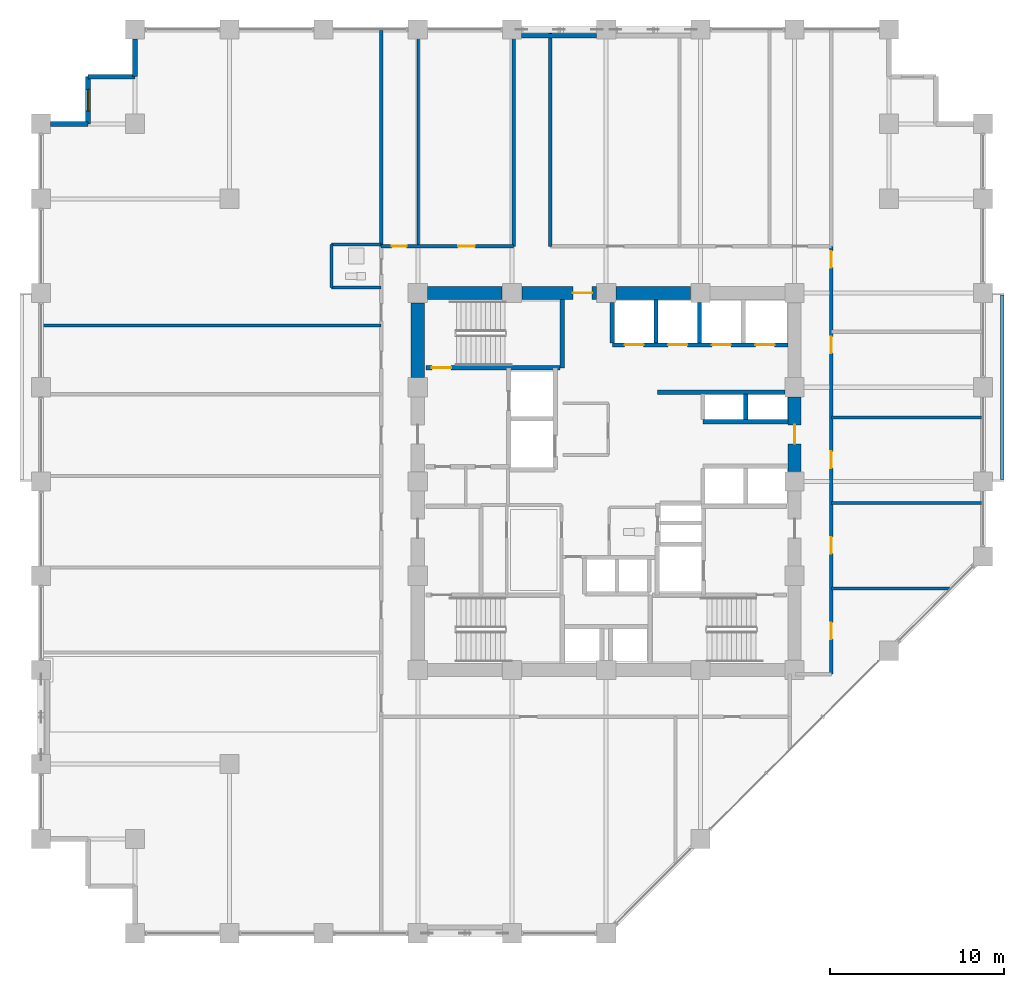
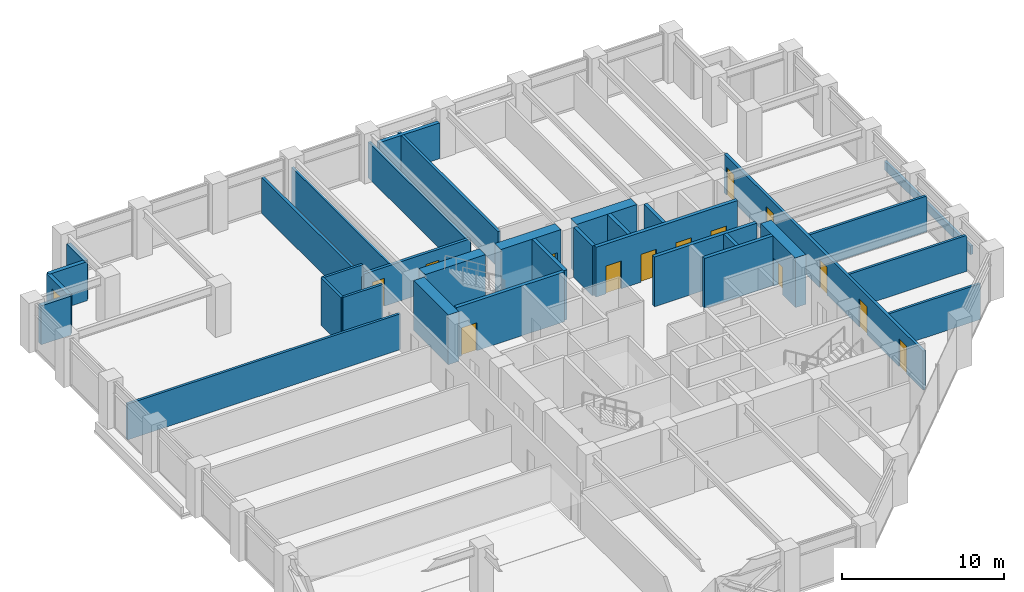
# One storey, part 20 of 24: 33 walls, 14 doors, 1 window, 15 openings.
"""IFC4 building model written with IfcOpenShell, lengths in metres."""

from ifc_helpers import new_model, si_unit, direction, frame, frame_2d, origin, place, context, subcontext, project, spatial, rectangle, extrude, material, layer, layer_set, type_object, element, fill, save


model = new_model("IFC4")

# Units and contexts
model_context = context("Model", 3, precision=1e-05, world=origin(), true_north=direction((0.0, 1.0)))
body_context = subcontext(model_context, "Body", "Model", "MODEL_VIEW")
ifc_project = project(units=[si_unit("LENGTHUNIT", "METRE"), si_unit("AREAUNIT", "SQUARE_METRE"), si_unit("VOLUMEUNIT", "CUBIC_METRE"), si_unit("PLANEANGLEUNIT", "RADIAN"), si_unit("MASSUNIT", "GRAM", prefix="KILO")], contexts=[model_context])

# Site, building, storey
site_placement = place(None, origin())
site = spatial("IfcSite", under=ifc_project, at=site_placement, CompositionType="ELEMENT")
building_placement = place(site_placement, origin())
building = spatial("IfcBuilding", under=site, at=building_placement, Name="Surkhivell Harbour Commons", CompositionType="ELEMENT")
storey_placement = place(building_placement, frame((0.0, 0.0, 105.75)))
storey = spatial("IfcBuildingStorey", under=building, at=storey_placement, Name="L27", CompositionType="ELEMENT", Elevation=105.75)

# Wall
ifc_material_1 = material(Name="Concrete C60/75", Category="concrete")
ifc_layer_1 = layer(ifc_material_1, 0.75)
ifc_layer_set_1 = layer_set([ifc_layer_1], Name="Concrete C60/75")
wall_type_1 = type_object("IfcWallType", Name="WAL-CORE-750", PredefinedType="SHEAR", material=ifc_layer_set_1)
wall_1_placement = place(storey_placement, frame((-10.239990234375, 10.800048828125, 0.0), z_axis=(0.0, 0.0, 1.0), x_axis=(1.0, 0.0, 0.0)))
element("IfcWall", 1, at=wall_1_placement, inside=storey, type_object=wall_type_1, Name="L27 Core Shear Wall North 1", PredefinedType="SHEAR", context=body_context, shape_type="SweptSolid", body=[
    extrude(rectangle(XDim=4.280029296875, YDim=0.75, at=frame_2d((2.14013671875, 0.0))), origin(), (0.0, 0.0, 1.0), 3.75),
])

# Wall, opening, door
wall_2_placement = place(storey_placement, frame((-4.840087890625, 10.800048828125, 0.0), z_axis=(0.0, 0.0, 1.0), x_axis=(1.0, 0.0, 0.0)))
wall_2 = element("IfcWall", 2, at=wall_2_placement, inside=storey, type_object=wall_type_1, Name="L27 Core Shear Wall North 2", PredefinedType="SHEAR", context=body_context, shape_type="SweptSolid", body=[
    extrude(rectangle(XDim=4.280029296875, YDim=0.75, at=frame_2d((2.14013671875, 0.0))), origin(), (0.0, 0.0, 1.0), 3.75),
])
opening_1_placement = place(wall_2_placement, frame((2.929931640625, 0.0, 0.0)))
opening_1 = element("IfcOpeningElement", 3, at=opening_1_placement, cuts=wall_2, Name="Opening ID-2", PredefinedType="OPENING", context=body_context, shape_type="SweptSolid", body=[
    extrude(rectangle(XDim=1.10009765625, YDim=2.10009765625, at=frame_2d((0.550048828125, 1.050048828125))), frame((0.0, 0.385009765625, 0.0), z_axis=(0.0, -1.0, 0.0), x_axis=(1.0, 0.0, 0.0)), (0.0, 0.0, 1.0), 0.77001953125),
])
ifc_material_2 = material(Name="Hardwood-veneered fire-rated door leaf", Category="wood")
door_type_1 = type_object("IfcDoorType", Name="DOR-FD60-1100", OperationType="NOTDEFINED", PredefinedType="DOOR", material=ifc_material_2)
door_1_placement = place(opening_1_placement, origin())
door_1 = element("IfcDoor", 4, at=door_1_placement, inside=storey, type_object=door_type_1, Name="L27 Central Core Lift Hall North Corridor Door", OperationType="SINGLE_SWING_LEFT", OverallHeight=2.10009765625, OverallWidth=1.10009765625, PredefinedType="DOOR", context=body_context, shape_type="SweptSolid", body=[
    extrude(rectangle(XDim=1.10009765625, YDim=2.10009765625, at=frame_2d((0.550048828125, 1.050048828125))), frame((0.0, 0.02490234375, 0.0), z_axis=(0.0, -1.0, 0.0), x_axis=(1.0, 0.0, 0.0)), (0.0, 0.0, 1.0), 0.050048828125),
])
fill(opening_1, door_1)

# Wall
wall_3_placement = place(storey_placement, frame((0.56005859375, 10.800048828125, 0.0), z_axis=(0.0, 0.0, 1.0), x_axis=(1.0, 0.0, 0.0)))
element("IfcWall", 5, at=wall_3_placement, inside=storey, type_object=wall_type_1, Name="L27 Core Shear Wall North 3", PredefinedType="SHEAR", context=body_context, shape_type="SweptSolid", body=[
    extrude(rectangle(XDim=4.280029296875, YDim=0.75, at=frame_2d((2.14013671875, 0.0))), origin(), (0.0, 0.0, 1.0), 3.75),
])

# Wall, opening, door
wall_4_placement = place(storey_placement, frame((10.800048828125, 0.56005859375, 0.0), z_axis=(0.0, 0.0, 1.0), x_axis=(0.0, 1.0, 0.0)))
wall_4 = element("IfcWall", 6, at=wall_4_placement, inside=storey, type_object=wall_type_1, Name="L27 Core Shear Wall East 3", PredefinedType="SHEAR", context=body_context, shape_type="SweptSolid", body=[
    extrude(rectangle(XDim=4.280029296875, YDim=0.75, at=frame_2d((2.14013671875, 0.0))), origin(), (0.0, 0.0, 1.0), 3.75),
])
opening_2_placement = place(wall_4_placement, frame((1.590087890625, 0.0, 0.0)))
opening_2 = element("IfcOpeningElement", 7, at=opening_2_placement, cuts=wall_4, Name="Opening ID-2", PredefinedType="OPENING", context=body_context, shape_type="SweptSolid", body=[
    extrude(rectangle(XDim=1.10009765625, YDim=2.10009765625, at=frame_2d((0.550048828125, 1.050048828125))), frame((0.0, 0.385009765625, 0.0), z_axis=(0.0, -1.0, 0.0), x_axis=(1.0, 0.0, 0.0)), (0.0, 0.0, 1.0), 0.77001953125),
])
door_2_placement = place(opening_2_placement, origin())
door_2 = element("IfcDoor", 8, at=door_2_placement, inside=storey, type_object=door_type_1, Name="L27 Mid-Rise Lobby East Door", OperationType="SINGLE_SWING_LEFT", OverallHeight=2.10009765625, OverallWidth=1.10009765625, PredefinedType="DOOR", context=body_context, shape_type="SweptSolid", body=[
    extrude(rectangle(XDim=1.10009765625, YDim=2.10009765625, at=frame_2d((0.550048828125, 1.050048828125))), frame((0.0, 0.02490234375, 0.0), z_axis=(0.0, -1.0, 0.0), x_axis=(1.0, 0.0, 0.0)), (0.0, 0.0, 1.0), 0.050048828125),
])
fill(opening_2, door_2)

# Walls
wall_5_placement = place(storey_placement, frame((-10.800048828125, 5.9599609375, 0.0), z_axis=(0.0, 0.0, 1.0), x_axis=(0.0, 1.0, 0.0)))
element("IfcWall", 9, at=wall_5_placement, inside=storey, type_object=wall_type_1, Name="L27 Core Shear Wall West 4", PredefinedType="SHEAR", context=body_context, shape_type="SweptSolid", body=[
    extrude(rectangle(XDim=4.280029296875, YDim=0.75, at=frame_2d((2.14013671875, 0.0))), origin(), (0.0, 0.0, 1.0), 3.75),
])
ifc_material_3 = material(Name="Pale-metal insulated precast concrete C45/55", Category="concrete")
ifc_layer_2 = layer(ifc_material_3, 0.260009765625)
ifc_layer_set_2 = layer_set([ifc_layer_2], Name="Pale-metal insulated precast concrete C45/55")
wall_type_2 = type_object("IfcWallType", Name="WAL-EXT-MTL260", PredefinedType="STANDARD", material=ifc_layer_set_2)
wall_6_placement = place(storey_placement, frame((-0.548095703125, 25.5400390625, 0.0), z_axis=(0.0, 0.0, 1.0), x_axis=(-1.0, 0.0, 0.0)))
element("IfcWall", 10, at=wall_6_placement, inside=storey, type_object=wall_type_2, Name="L27 Braced-Bay Insulated Spandrel Backing N", PredefinedType="STANDARD", context=body_context, shape_type="SweptSolid", body=[
    extrude(rectangle(XDim=4.303955078125, YDim=0.260009765625, at=frame_2d((2.15185546875, 0.0))), origin(), (0.0, 0.0, 1.0), 2.698974609375),
])
ifc_material_4 = material(Name="Terracotta-clad reinforced concrete C45/55", Category="masonry")
ifc_layer_3 = layer(ifc_material_4, 0.280029296875)
ifc_layer_set_3 = layer_set([ifc_layer_3], Name="Terracotta-clad reinforced concrete C45/55")
wall_type_3 = type_object("IfcWallType", Name="WAL-EXT-TER280", PredefinedType="STANDARD", material=ifc_layer_set_3)
wall_7_placement = place(storey_placement, frame((-27.0, 25.35205078125, 0.0), z_axis=(0.0, 0.0, 1.0), x_axis=(0.0, -1.0, 0.0)))
element("IfcWall", 11, at=wall_7_placement, inside=storey, type_object=wall_type_3, Name="L27 Serrated Corner Facade Wall 08", PredefinedType="STANDARD", context=body_context, shape_type="SweptSolid", body=[
    extrude(rectangle(XDim=2.152099609375, YDim=0.280029296875, at=frame_2d((1.076171875, 0.0))), origin(), (0.0, 0.0, 1.0), 2.93310546875),
])
wall_8_placement = place(storey_placement, frame((-27.0, 23.199951171875, 0.0), z_axis=(0.0, 0.0, 1.0), x_axis=(-1.0, 0.0, 0.0)))
element("IfcWall", 12, at=wall_8_placement, inside=storey, type_object=wall_type_3, Name="L27 Serrated Corner Facade Wall 09", PredefinedType="STANDARD", context=body_context, shape_type="SweptSolid", body=[
    extrude(rectangle(XDim=2.699951171875, YDim=0.280029296875, at=frame_2d((1.35009765625, 0.0))), origin(), (0.0, 0.0, 1.0), 2.93310546875),
])

# Wall, opening, window
wall_9_placement = place(storey_placement, frame((-29.699951171875, 23.199951171875, 0.0), z_axis=(0.0, 0.0, 1.0), x_axis=(0.0, -1.0, 0.0)))
wall_9 = element("IfcWall", 13, at=wall_9_placement, inside=storey, type_object=wall_type_3, Name="L27 Serrated Corner Facade Wall 10", PredefinedType="STANDARD", context=body_context, shape_type="SweptSolid", body=[
    extrude(rectangle(XDim=2.699951171875, YDim=0.280029296875, at=frame_2d((1.35009765625, 0.0))), origin(), (0.0, 0.0, 1.0), 2.93310546875),
])
opening_3_placement = place(wall_9_placement, frame((0.72509765625, 0.0, 0.64990234375)))
opening_3 = element("IfcOpeningElement", 14, at=opening_3_placement, cuts=wall_9, Name="Opening WN-09", PredefinedType="OPENING", context=body_context, shape_type="SweptSolid", body=[
    extrude(rectangle(XDim=1.25, YDim=1.60009765625, at=frame_2d((0.625, 0.800048828125))), frame((0.0, 0.14990234375, 0.0), z_axis=(0.0, -1.0, 0.0), x_axis=(1.0, 0.0, 0.0)), (0.0, 0.0, 1.0), 0.300048828125),
])
ifc_material_5 = material(Name="Thermal-break aluminium frame and double low-E glazing", Category="aluminium")
window_type = type_object("IfcWindowType", Name="WIN-SER-1250x1600", PartitioningType="SINGLE_PANEL", PredefinedType="WINDOW", material=ifc_material_5)
window_placement = place(opening_3_placement, origin())
window = element("IfcWindow", 15, at=window_placement, inside=storey, type_object=window_type, Name="L27 Serrated Alcove Window 10", OverallHeight=1.60009765625, OverallWidth=1.25, PartitioningType="SINGLE_PANEL", PredefinedType="WINDOW", context=body_context, shape_type="SweptSolid", body=[
    extrude(rectangle(XDim=1.25, YDim=1.60009765625, at=frame_2d((0.625, 0.800048828125))), frame((0.0, 0.030029296875, 0.0), z_axis=(0.0, -1.0, 0.0), x_axis=(1.0, 0.0, 0.0)), (0.0, 0.0, 1.0), 0.06005859375),
])
fill(opening_3, window)

# Walls
wall_10_placement = place(storey_placement, frame((-29.699951171875, 20.5, 0.0), z_axis=(0.0, 0.0, 1.0), x_axis=(-1.0, 0.0, 0.0)))
element("IfcWall", 16, at=wall_10_placement, inside=storey, type_object=wall_type_3, Name="L27 Serrated Corner Facade Wall 11", PredefinedType="STANDARD", context=body_context, shape_type="SweptSolid", body=[
    extrude(rectangle(XDim=2.152099609375, YDim=0.280029296875, at=frame_2d((1.076171875, 0.0))), origin(), (0.0, 0.0, 1.0), 2.93310546875),
])
ifc_material_6 = material(Name="Twin-stud acoustic fireboard partition", Category="other")
ifc_layer_4 = layer(ifc_material_6, 0.14990234375)
ifc_layer_set_4 = layer_set([ifc_layer_4], Name="Twin-stud acoustic fireboard partition")
wall_type_4 = type_object("IfcWallType", Name="WAL-INT-150", PredefinedType="PARTITIONING", material=ifc_layer_set_4)
wall_11_placement = place(storey_placement, frame((-10.77001953125, 13.47998046875, 0.0), z_axis=(0.0, 0.0, 1.0), x_axis=(0.0, 1.0, 0.0)))
element("IfcWall", 17, at=wall_11_placement, inside=storey, type_object=wall_type_4, Name="L27 North-West Partition P1", PredefinedType="PARTITIONING", context=body_context, shape_type="SweptSolid", body=[
    extrude(rectangle(XDim=12.360107421875, YDim=0.14990234375, at=frame_2d((6.18017578125, 0.0))), origin(), (0.0, 0.0, 1.0), 2.698974609375),
])
ifc_material_7 = material(Name="High-density acoustic blockwork fire partition", Category="masonry")
ifc_layer_5 = layer(ifc_material_7, 0.175048828125)
ifc_layer_set_5 = layer_set([ifc_layer_5], Name="High-density acoustic blockwork fire partition")
wall_type_5 = type_object("IfcWallType", Name="WAL-INT-175", PredefinedType="PARTITIONING", material=ifc_layer_set_5)
wall_12_placement = place(storey_placement, frame((12.89990234375, -6.139892578125, 0.0), z_axis=(0.0, 0.0, 1.0), x_axis=(1.0, 0.0, 0.0)))
element("IfcWall", 18, at=wall_12_placement, inside=storey, type_object=wall_type_5, Name="L27 East Partition P1", PredefinedType="PARTITIONING", context=body_context, shape_type="SweptSolid", body=[
    extrude(rectangle(XDim=6.775146484375, YDim=0.175048828125, at=frame_2d((3.3876953125, 0.0))), origin(), (0.0, 0.0, 1.0), 2.698974609375),
])
for number, where, z_axis, x_axis, name in (
    (19, (12.89990234375, -1.22998046875, 0.0), (0.0, 0.0, 1.0), (1.0, 0.0, 0.0), "L27 East Partition P2"),
    (20, (12.89990234375, 3.669921875, 0.0), (0.0, 0.0, 1.0), (1.0, 0.0, 0.0), "L27 East Partition P3"),
):
    element("IfcWall", number, at=place(storey_placement, frame(where, z_axis=z_axis, x_axis=x_axis)), inside=storey, type_object=wall_type_5, Name=name, PredefinedType="PARTITIONING", context=body_context, shape_type="SweptSolid", body=[
        extrude(rectangle(XDim=8.64013671875, YDim=0.175048828125, at=frame_2d((4.320068359375, 0.0))), origin(), (0.0, 0.0, 1.0), 2.698974609375),
    ])
wall_13_placement = place(storey_placement, frame((-15.75, 11.1298828125, 0.0), z_axis=(0.0, 0.0, 1.0), x_axis=(0.0, 1.0, 0.0)))
element("IfcWall", 21, at=wall_13_placement, inside=storey, type_object=wall_type_5, Name="L27 West Partition BTHB", PredefinedType="PARTITIONING", context=body_context, shape_type="SweptSolid", body=[
    extrude(rectangle(XDim=2.4501953125, YDim=0.175048828125, at=frame_2d((1.22509765625, 0.0))), origin(), (0.0, 0.0, 1.0), 3.570068359375),
])
for number, where, z_axis, x_axis, name in (
    (22, (-15.75, 13.580078125, 0.0), (0.0, 0.0, 1.0), (1.0, 0.0, 0.0), "L27 West Partition BTHN"),
    (23, (-15.75, 11.1298828125, 0.0), (0.0, 0.0, 1.0), (1.0, 0.0, 0.0), "L27 West Partition BTHS"),
):
    element("IfcWall", number, at=place(storey_placement, frame(where, z_axis=z_axis, x_axis=x_axis)), inside=storey, type_object=wall_type_5, Name=name, PredefinedType="PARTITIONING", context=body_context, shape_type="SweptSolid", body=[
        extrude(rectangle(XDim=2.85009765625, YDim=0.175048828125, at=frame_2d((1.425048828125, 0.0))), origin(), (0.0, 0.0, 1.0), 3.570068359375),
    ])
wall_14_placement = place(storey_placement, frame((-32.340087890625, 8.929931640625, 0.0), z_axis=(0.0, 0.0, 1.0), x_axis=(1.0, 0.0, 0.0)))
element("IfcWall", 24, at=wall_14_placement, inside=storey, type_object=wall_type_5, Name="L27 West Partition PTOP", PredefinedType="PARTITIONING", context=body_context, shape_type="SweptSolid", body=[
    extrude(rectangle(XDim=19.440185546875, YDim=0.175048828125, at=frame_2d((9.72021484375, 0.0))), origin(), (0.0, 0.0, 1.0), 2.698974609375),
])
ifc_material_8 = material(Name="Autoclaved aerated concrete blockwork and fire plaster", Category="masonry")
ifc_layer_6 = layer(ifc_material_8, 0.199951171875)
ifc_layer_set_6 = layer_set([ifc_layer_6], Name="Autoclaved aerated concrete blockwork and fire plaster")
wall_type_6 = type_object("IfcWallType", Name="WAL-INT-200", PredefinedType="PARTITIONING", material=ifc_layer_set_6)
wall_15_placement = place(storey_placement, frame((-12.89990234375, 13.47998046875, 0.0), z_axis=(0.0, 0.0, 1.0), x_axis=(0.0, 1.0, 0.0)))
element("IfcWall", 25, at=wall_15_placement, inside=storey, type_object=wall_type_6, Name="L27 North-West Wing Corner Divider", PredefinedType="PARTITIONING", context=body_context, shape_type="SweptSolid", body=[
    extrude(rectangle(XDim=12.360107421875, YDim=0.199951171875, at=frame_2d((6.18017578125, 0.0))), origin(), (0.0, 0.0, 1.0), 2.698974609375),
])

# Wall, openings, doors
wall_16_placement = place(storey_placement, frame((12.89990234375, -11.0400390625, 0.0), z_axis=(0.0, 0.0, 1.0), x_axis=(0.0, 1.0, 0.0)))
wall_16 = element("IfcWall", 26, at=wall_16_placement, inside=storey, type_object=wall_type_6, Name="L27 Corridor East Wall", PredefinedType="PARTITIONING", context=body_context, shape_type="SweptSolid", body=[
    extrude(rectangle(XDim=24.52001953125, YDim=0.199951171875, at=frame_2d((12.260009765625, 0.0))), origin(), (0.0, 0.0, 1.0), 2.93310546875),
])
opening_4_placement = place(wall_16_placement, frame((2.0, 0.0, 0.0)))
opening_4 = element("IfcOpeningElement", 27, at=opening_4_placement, cuts=wall_16, Name="Opening ID-4", PredefinedType="OPENING", context=body_context, shape_type="SweptSolid", body=[
    extrude(rectangle(XDim=0.949951171875, YDim=2.10009765625, at=frame_2d((0.47509765625, 1.050048828125))), frame((0.0, 0.10986328125, 0.0), z_axis=(0.0, -1.0, 0.0), x_axis=(1.0, 0.0, 0.0)), (0.0, 0.0, 1.0), 0.219970703125),
])
opening_5_placement = place(wall_16_placement, frame((6.905029296875, 0.0, 0.0)))
opening_5 = element("IfcOpeningElement", 28, at=opening_5_placement, cuts=wall_16, Name="Opening ID-4", PredefinedType="OPENING", context=body_context, shape_type="SweptSolid", body=[
    extrude(rectangle(XDim=0.949951171875, YDim=2.10009765625, at=frame_2d((0.47509765625, 1.050048828125))), frame((0.0, 0.10986328125, 0.0), z_axis=(0.0, -1.0, 0.0), x_axis=(1.0, 0.0, 0.0)), (0.0, 0.0, 1.0), 0.219970703125),
])
opening_6_placement = place(wall_16_placement, frame((11.81005859375, 0.0, 0.0)))
opening_6 = element("IfcOpeningElement", 29, at=opening_6_placement, cuts=wall_16, Name="Opening ID-4", PredefinedType="OPENING", context=body_context, shape_type="SweptSolid", body=[
    extrude(rectangle(XDim=0.949951171875, YDim=2.10009765625, at=frame_2d((0.47509765625, 1.050048828125))), frame((0.0, 0.10986328125, 0.0), z_axis=(0.0, -1.0, 0.0), x_axis=(1.0, 0.0, 0.0)), (0.0, 0.0, 1.0), 0.219970703125),
])
opening_7_placement = place(wall_16_placement, frame((18.389892578125, 0.0, 0.0)))
opening_7 = element("IfcOpeningElement", 30, at=opening_7_placement, cuts=wall_16, Name="Opening ID-4", PredefinedType="OPENING", context=body_context, shape_type="SweptSolid", body=[
    extrude(rectangle(XDim=0.949951171875, YDim=2.10009765625, at=frame_2d((0.47509765625, 1.050048828125))), frame((0.0, 0.10986328125, 0.0), z_axis=(0.0, -1.0, 0.0), x_axis=(1.0, 0.0, 0.0)), (0.0, 0.0, 1.0), 0.219970703125),
])
opening_8_placement = place(wall_16_placement, frame((23.2900390625, 0.0, 0.0)))
opening_8 = element("IfcOpeningElement", 31, at=opening_8_placement, cuts=wall_16, Name="Opening ID-4", PredefinedType="OPENING", context=body_context, shape_type="SweptSolid", body=[
    extrude(rectangle(XDim=0.949951171875, YDim=2.10009765625, at=frame_2d((0.47509765625, 1.050048828125))), frame((0.0, 0.10986328125, 0.0), z_axis=(0.0, -1.0, 0.0), x_axis=(1.0, 0.0, 0.0)), (0.0, 0.0, 1.0), 0.219970703125),
])
door_type_2 = type_object("IfcDoorType", Name="DOR-FD60-950", OperationType="NOTDEFINED", PredefinedType="DOOR", material=ifc_material_2)
door_3_placement = place(opening_4_placement, origin())
door_3 = element("IfcDoor", 32, at=door_3_placement, inside=storey, type_object=door_type_2, Name="L27 Co-Working Study Office Pod 1 East Door", OperationType="SINGLE_SWING_LEFT", OverallHeight=2.10009765625, OverallWidth=0.949951171875, PredefinedType="DOOR", context=body_context, shape_type="SweptSolid", body=[
    extrude(rectangle(XDim=0.949951171875, YDim=2.10009765625, at=frame_2d((0.47509765625, 1.050048828125))), frame((0.0, 0.02490234375, 0.0), z_axis=(0.0, -1.0, 0.0), x_axis=(1.0, 0.0, 0.0)), (0.0, 0.0, 1.0), 0.050048828125),
])
fill(opening_4, door_3)
door_4_placement = place(opening_5_placement, origin())
door_4 = element("IfcDoor", 33, at=door_4_placement, inside=storey, type_object=door_type_2, Name="L27 Academic Seminar Pod 2 East Door", OperationType="SINGLE_SWING_RIGHT", OverallHeight=2.10009765625, OverallWidth=0.949951171875, PredefinedType="DOOR", context=body_context, shape_type="SweptSolid", body=[
    extrude(rectangle(XDim=0.949951171875, YDim=2.10009765625, at=frame_2d((0.47509765625, 1.050048828125))), frame((0.0, 0.02490234375, 0.0), z_axis=(0.0, -1.0, 0.0), x_axis=(1.0, 0.0, 0.0)), (0.0, 0.0, 1.0), 0.050048828125),
])
fill(opening_5, door_4)
door_5_placement = place(opening_6_placement, origin())
door_5 = element("IfcDoor", 34, at=door_5_placement, inside=storey, type_object=door_type_2, Name="L27 Harbour Espresso Cafe Shop 3 East Door", OperationType="SINGLE_SWING_LEFT", OverallHeight=2.10009765625, OverallWidth=0.949951171875, PredefinedType="DOOR", context=body_context, shape_type="SweptSolid", body=[
    extrude(rectangle(XDim=0.949951171875, YDim=2.10009765625, at=frame_2d((0.47509765625, 1.050048828125))), frame((0.0, 0.02490234375, 0.0), z_axis=(0.0, -1.0, 0.0), x_axis=(1.0, 0.0, 0.0)), (0.0, 0.0, 1.0), 0.050048828125),
])
fill(opening_6, door_5)
door_6_placement = place(opening_7_placement, origin())
door_6 = element("IfcDoor", 35, at=door_6_placement, inside=storey, type_object=door_type_2, Name="L27 Zone Concierge Reception Foyer 4 East Door", OperationType="SINGLE_SWING_RIGHT", OverallHeight=2.10009765625, OverallWidth=0.949951171875, PredefinedType="DOOR", context=body_context, shape_type="SweptSolid", body=[
    extrude(rectangle(XDim=0.949951171875, YDim=2.10009765625, at=frame_2d((0.47509765625, 1.050048828125))), frame((0.0, 0.02490234375, 0.0), z_axis=(0.0, -1.0, 0.0), x_axis=(1.0, 0.0, 0.0)), (0.0, 0.0, 1.0), 0.050048828125),
])
fill(opening_7, door_6)
door_7_placement = place(opening_8_placement, origin())
door_7 = element("IfcDoor", 36, at=door_7_placement, inside=storey, type_object=door_type_2, Name="L27 Shared Communal Kitchen 5 East Door", OperationType="SINGLE_SWING_LEFT", OverallHeight=2.10009765625, OverallWidth=0.949951171875, PredefinedType="DOOR", context=body_context, shape_type="SweptSolid", body=[
    extrude(rectangle(XDim=0.949951171875, YDim=2.10009765625, at=frame_2d((0.47509765625, 1.050048828125))), frame((0.0, 0.02490234375, 0.0), z_axis=(0.0, -1.0, 0.0), x_axis=(1.0, 0.0, 0.0)), (0.0, 0.0, 1.0), 0.050048828125),
])
fill(opening_8, door_7)

wall_17_placement = place(storey_placement, frame((-12.89990234375, 13.47998046875, 0.0), z_axis=(0.0, 0.0, 1.0), x_axis=(1.0, 0.0, 0.0)))
wall_17 = element("IfcWall", 37, at=wall_17_placement, inside=storey, type_object=wall_type_6, Name="L27 Corridor North-West Wall", PredefinedType="PARTITIONING", context=body_context, shape_type="SweptSolid", body=[
    extrude(rectangle(XDim=7.599853515625, YDim=0.199951171875, at=frame_2d((3.7998046875, 0.0))), origin(), (0.0, 0.0, 1.0), 2.93310546875),
])
opening_9_placement = place(wall_17_placement, frame((0.614990234375, 0.0, 0.0)))
opening_9 = element("IfcOpeningElement", 38, at=opening_9_placement, cuts=wall_17, Name="Opening ID-6", PredefinedType="OPENING", context=body_context, shape_type="SweptSolid", body=[
    extrude(rectangle(XDim=0.85009765625, YDim=2.10009765625, at=frame_2d((0.425048828125, 1.050048828125))), frame((0.0, 0.10986328125, 0.0), z_axis=(0.0, -1.0, 0.0), x_axis=(1.0, 0.0, 0.0)), (0.0, 0.0, 1.0), 0.219970703125),
])
opening_10_placement = place(wall_17_placement, frame((4.4150390625, 0.0, 0.0)))
opening_10 = element("IfcOpeningElement", 39, at=opening_10_placement, cuts=wall_17, Name="Opening ID-4", PredefinedType="OPENING", context=body_context, shape_type="SweptSolid", body=[
    extrude(rectangle(XDim=0.949951171875, YDim=2.10009765625, at=frame_2d((0.47509765625, 1.050048828125))), frame((0.0, 0.10986328125, 0.0), z_axis=(0.0, -1.0, 0.0), x_axis=(1.0, 0.0, 0.0)), (0.0, 0.0, 1.0), 0.219970703125),
])
door_type_3 = type_object("IfcDoorType", Name="DOR-FD30-850", OperationType="NOTDEFINED", PredefinedType="DOOR", material=ifc_material_2)
door_8_placement = place(opening_9_placement, origin())
door_8 = element("IfcDoor", 40, at=door_8_placement, inside=storey, type_object=door_type_3, Name="L27 Shared Communal Kitchen A North-West Door", OperationType="SINGLE_SWING_RIGHT", OverallHeight=2.10009765625, OverallWidth=0.85009765625, PredefinedType="DOOR", context=body_context, shape_type="SweptSolid", body=[
    extrude(rectangle(XDim=0.85009765625, YDim=2.10009765625, at=frame_2d((0.425048828125, 1.050048828125))), frame((0.0, 0.02490234375, 0.0), z_axis=(0.0, -1.0, 0.0), x_axis=(1.0, 0.0, 0.0)), (0.0, 0.0, 1.0), 0.050048828125),
])
fill(opening_9, door_8)
door_9_placement = place(opening_10_placement, origin())
door_9 = element("IfcDoor", 41, at=door_9_placement, inside=storey, type_object=door_type_2, Name="L27 Shared Communal Kitchen B North-West Door", OperationType="SINGLE_SWING_LEFT", OverallHeight=2.10009765625, OverallWidth=0.949951171875, PredefinedType="DOOR", context=body_context, shape_type="SweptSolid", body=[
    extrude(rectangle(XDim=0.949951171875, YDim=2.10009765625, at=frame_2d((0.47509765625, 1.050048828125))), frame((0.0, 0.02490234375, 0.0), z_axis=(0.0, -1.0, 0.0), x_axis=(1.0, 0.0, 0.0)), (0.0, 0.0, 1.0), 0.050048828125),
])
fill(opening_10, door_9)

# Walls
for number, where, z_axis, x_axis, name in (
    (42, (-3.199951171875, 13.47998046875, 0.0), (0.0, 0.0, 1.0), (0.0, 1.0, 0.0), "L27 North Alcove East Wall"),
    (43, (-5.300048828125, 13.47998046875, 0.0), (0.0, 0.0, 1.0), (0.0, 1.0, 0.0), "L27 North Alcove West Wall"),
):
    element("IfcWall", number, at=place(storey_placement, frame(where, z_axis=z_axis, x_axis=x_axis)), inside=storey, type_object=wall_type_6, Name=name, PredefinedType="PARTITIONING", context=body_context, shape_type="SweptSolid", body=[
        extrude(rectangle(XDim=12.360107421875, YDim=0.199951171875, at=frame_2d((6.18017578125, 0.0))), origin(), (0.0, 0.0, 1.0), 2.698974609375),
    ])
ifc_material_9 = material(Name="Anodised aluminium and precast concrete C40/50", Category="concrete")
ifc_layer_7 = layer(ifc_material_9, 0.18505859375)
ifc_layer_set_7 = layer_set([ifc_layer_7], Name="Anodised aluminium and precast concrete C40/50")
wall_type_7 = type_object("IfcWallType", Name="WAL-PAR-185", PredefinedType="PARAPET", material=ifc_layer_set_7)
wall_18_placement = place(storey_placement, frame((22.699951171875, 0.10009765625, 0.0), z_axis=(0.0, 0.0, 1.0), x_axis=(0.0, 1.0, 0.0)))
element("IfcWall", 44, at=wall_18_placement, inside=storey, type_object=wall_type_7, Name="L27 Box Roof Coping Parapet 1-1", PredefinedType="PARAPET", context=body_context, shape_type="SweptSolid", body=[
    extrude(rectangle(XDim=10.599853515625, YDim=0.18505859375, at=frame_2d((5.2998046875, 0.0))), origin(), (0.0, 0.0, 1.0), 0.64990234375),
])
ifc_material_10 = material(Name="Concrete C50/60", Category="concrete")
ifc_layer_8 = layer(ifc_material_10, 0.25)
ifc_layer_set_8 = layer_set([ifc_layer_8], Name="Concrete C50/60")
wall_type_8 = type_object("IfcWallType", Name="WAL-SHAFT-250", PredefinedType="SHEAR", material=ifc_layer_set_8)
wall_19_placement = place(storey_placement, frame((2.85009765625, 7.93994140625, 0.0), z_axis=(0.0, 0.0, 1.0), x_axis=(0.0, 1.0, 0.0)))
element("IfcWall", 45, at=wall_19_placement, inside=storey, type_object=wall_type_8, Name="L27 Low-Rise Hoistway Wall", PredefinedType="SHEAR", context=body_context, shape_type="SweptSolid", body=[
    extrude(rectangle(XDim=2.485107421875, YDim=0.25, at=frame_2d((1.24267578125, 0.0))), origin(), (0.0, 0.0, 1.0), 3.75),
])
for number, where, z_axis, x_axis, name in (
    (46, (0.35009765625, 7.93994140625, 0.0), (0.0, 0.0, 1.0), (0.0, 1.0, 0.0), "L27 Low-Rise Hoistway Wall"),
    (47, (5.35009765625, 7.93994140625, 0.0), (0.0, 0.0, 1.0), (0.0, 1.0, 0.0), "L27 Low-Rise Hoistway Wall"),
):
    element("IfcWall", number, at=place(storey_placement, frame(where, z_axis=z_axis, x_axis=x_axis)), inside=storey, type_object=wall_type_8, Name=name, PredefinedType="SHEAR", context=body_context, shape_type="SweptSolid", body=[
        extrude(rectangle(XDim=2.31005859375, YDim=0.25, at=frame_2d((1.155029296875, 0.0))), origin(), (0.0, 0.0, 1.0), 3.75),
    ])

# Wall, openings, doors
wall_20_placement = place(storey_placement, frame((0.35009765625, 7.820068359375, 0.0), z_axis=(0.0, 0.0, 1.0), x_axis=(1.0, 0.0, 0.0)))
wall_20 = element("IfcWall", 48, at=wall_20_placement, inside=storey, type_object=wall_type_8, Name="L27 Low-Rise Lift Front Shaft Wall", PredefinedType="SHEAR", context=body_context, shape_type="SweptSolid", body=[
    extrude(rectangle(XDim=10.074951171875, YDim=0.25, at=frame_2d((5.03759765625, 0.0))), origin(), (0.0, 0.0, 1.0), 3.75),
])
opening_11_placement = place(wall_20_placement, frame((0.699951171875, 0.0, 0.0)))
opening_11 = element("IfcOpeningElement", 49, at=opening_11_placement, cuts=wall_20, Name="Opening LD-1", PredefinedType="OPENING", context=body_context, shape_type="SweptSolid", body=[
    extrude(rectangle(XDim=1.10009765625, YDim=2.10009765625, at=frame_2d((0.550048828125, 1.050048828125))), frame((0.0, 0.135009765625, 0.0), z_axis=(0.0, -1.0, 0.0), x_axis=(1.0, 0.0, 0.0)), (0.0, 0.0, 1.0), 0.27001953125),
])
opening_12_placement = place(wall_20_placement, frame((3.199951171875, 0.0, 0.0)))
opening_12 = element("IfcOpeningElement", 50, at=opening_12_placement, cuts=wall_20, Name="Opening LD-1", PredefinedType="OPENING", context=body_context, shape_type="SweptSolid", body=[
    extrude(rectangle(XDim=1.10009765625, YDim=2.10009765625, at=frame_2d((0.550048828125, 1.050048828125))), frame((0.0, 0.135009765625, 0.0), z_axis=(0.0, -1.0, 0.0), x_axis=(1.0, 0.0, 0.0)), (0.0, 0.0, 1.0), 0.27001953125),
])
opening_13_placement = place(wall_20_placement, frame((5.699951171875, 0.0, 0.0)))
opening_13 = element("IfcOpeningElement", 51, at=opening_13_placement, cuts=wall_20, Name="Opening LD-1", PredefinedType="OPENING", context=body_context, shape_type="SweptSolid", body=[
    extrude(rectangle(XDim=1.10009765625, YDim=2.10009765625, at=frame_2d((0.550048828125, 1.050048828125))), frame((0.0, 0.135009765625, 0.0), z_axis=(0.0, -1.0, 0.0), x_axis=(1.0, 0.0, 0.0)), (0.0, 0.0, 1.0), 0.27001953125),
])
opening_14_placement = place(wall_20_placement, frame((8.199951171875, 0.0, 0.0)))
opening_14 = element("IfcOpeningElement", 52, at=opening_14_placement, cuts=wall_20, Name="Opening LD-1", PredefinedType="OPENING", context=body_context, shape_type="SweptSolid", body=[
    extrude(rectangle(XDim=1.10009765625, YDim=2.10009765625, at=frame_2d((0.550048828125, 1.050048828125))), frame((0.0, 0.135009765625, 0.0), z_axis=(0.0, -1.0, 0.0), x_axis=(1.0, 0.0, 0.0)), (0.0, 0.0, 1.0), 0.27001953125),
])
ifc_material_11 = material(Name="Brushed stainless steel S355", Category="steel")
door_type_4 = type_object("IfcDoorType", Name="DOR-LD-1100", OperationType="SLIDING_TO_LEFT", PredefinedType="DOOR", material=ifc_material_11)
door_10_placement = place(opening_11_placement, origin())
door_10 = element("IfcDoor", 53, at=door_10_placement, inside=storey, type_object=door_type_4, Name="L27 Lift Landing Door LD-PL1", OperationType="SLIDING_TO_LEFT", OverallHeight=2.10009765625, OverallWidth=1.10009765625, PredefinedType="DOOR", context=body_context, shape_type="SweptSolid", body=[
    extrude(rectangle(XDim=1.10009765625, YDim=2.10009765625, at=frame_2d((0.550048828125, 1.050048828125))), frame((0.0, 0.02490234375, 0.0), z_axis=(0.0, -1.0, 0.0), x_axis=(1.0, 0.0, 0.0)), (0.0, 0.0, 1.0), 0.050048828125),
])
fill(opening_11, door_10)
door_11_placement = place(opening_12_placement, origin())
door_11 = element("IfcDoor", 54, at=door_11_placement, inside=storey, type_object=door_type_4, Name="L27 Lift Landing Door LD-PL2", OperationType="SLIDING_TO_LEFT", OverallHeight=2.10009765625, OverallWidth=1.10009765625, PredefinedType="DOOR", context=body_context, shape_type="SweptSolid", body=[
    extrude(rectangle(XDim=1.10009765625, YDim=2.10009765625, at=frame_2d((0.550048828125, 1.050048828125))), frame((0.0, 0.02490234375, 0.0), z_axis=(0.0, -1.0, 0.0), x_axis=(1.0, 0.0, 0.0)), (0.0, 0.0, 1.0), 0.050048828125),
])
fill(opening_12, door_11)
door_12_placement = place(opening_13_placement, origin())
door_12 = element("IfcDoor", 55, at=door_12_placement, inside=storey, type_object=door_type_4, Name="L27 Lift Landing Door LD-PL3", OperationType="SLIDING_TO_LEFT", OverallHeight=2.10009765625, OverallWidth=1.10009765625, PredefinedType="DOOR", context=body_context, shape_type="SweptSolid", body=[
    extrude(rectangle(XDim=1.10009765625, YDim=2.10009765625, at=frame_2d((0.550048828125, 1.050048828125))), frame((0.0, 0.02490234375, 0.0), z_axis=(0.0, -1.0, 0.0), x_axis=(1.0, 0.0, 0.0)), (0.0, 0.0, 1.0), 0.050048828125),
])
fill(opening_13, door_12)
door_13_placement = place(opening_14_placement, origin())
door_13 = element("IfcDoor", 56, at=door_13_placement, inside=storey, type_object=door_type_4, Name="L27 Lift Landing Door LD-PL4", OperationType="SLIDING_TO_LEFT", OverallHeight=2.10009765625, OverallWidth=1.10009765625, PredefinedType="DOOR", context=body_context, shape_type="SweptSolid", body=[
    extrude(rectangle(XDim=1.10009765625, YDim=2.10009765625, at=frame_2d((0.550048828125, 1.050048828125))), frame((0.0, 0.02490234375, 0.0), z_axis=(0.0, -1.0, 0.0), x_axis=(1.0, 0.0, 0.0)), (0.0, 0.0, 1.0), 0.050048828125),
])
fill(opening_14, door_13)

# Walls
wall_21_placement = place(storey_placement, frame((2.949951171875, 5.1201171875, 0.0), z_axis=(0.0, 0.0, 1.0), x_axis=(1.0, 0.0, 0.0)))
element("IfcWall", 57, at=wall_21_placement, inside=storey, type_object=wall_type_8, Name="L27 Low-Rise Lobby South Wall", PredefinedType="SHEAR", context=body_context, shape_type="SweptSolid", body=[
    extrude(rectangle(XDim=7.300048828125, YDim=0.25, at=frame_2d((3.64990234375, 0.0))), origin(), (0.0, 0.0, 1.0), 3.75),
])
wall_22_placement = place(storey_placement, frame((8.0, 3.550048828125, 0.0), z_axis=(0.0, 0.0, 1.0), x_axis=(0.0, 1.0, 0.0)))
element("IfcWall", 58, at=wall_22_placement, inside=storey, type_object=wall_type_8, Name="L27 Mid-Rise Shaft Side Wall N", PredefinedType="SHEAR", context=body_context, shape_type="SweptSolid", body=[
    extrude(rectangle(XDim=1.449951171875, YDim=0.25, at=frame_2d((0.72509765625, 0.0))), origin(), (0.0, 0.0, 1.0), 3.75),
])
wall_23_placement = place(storey_placement, frame((5.550048828125, 3.429931640625, 0.0), z_axis=(0.0, 0.0, 1.0), x_axis=(1.0, 0.0, 0.0)))
element("IfcWall", 59, at=wall_23_placement, inside=storey, type_object=wall_type_8, Name="L27 Mid-Rise North Front Shaft Wall", PredefinedType="SHEAR", context=body_context, shape_type="SweptSolid", body=[
    extrude(rectangle(XDim=4.875, YDim=0.25, at=frame_2d((2.4375, 0.0))), origin(), (0.0, 0.0, 1.0), 3.75),
])
wall_24_placement = place(storey_placement, frame((-2.510009765625, 6.510009765625, 0.0), z_axis=(0.0, 0.0, 1.0), x_axis=(0.0, 1.0, 0.0)))
element("IfcWall", 60, at=wall_24_placement, inside=storey, type_object=wall_type_8, Name="L27 Stair ST1 East Shear Wall", PredefinedType="SHEAR", context=body_context, shape_type="SweptSolid", body=[
    extrude(rectangle(XDim=3.9150390625, YDim=0.25, at=frame_2d((1.95751953125, 0.0))), origin(), (0.0, 0.0, 1.0), 3.75),
])

# Wall, opening, door
wall_25_placement = place(storey_placement, frame((-10.340087890625, 6.510009765625, 0.0), z_axis=(0.0, 0.0, 1.0), x_axis=(1.0, 0.0, 0.0)))
wall_25 = element("IfcWall", 61, at=wall_25_placement, inside=storey, type_object=wall_type_8, Name="L27 Stair ST1 South Shear Wall", PredefinedType="SHEAR", context=body_context, shape_type="SweptSolid", body=[
    extrude(rectangle(XDim=7.7001953125, YDim=0.25, at=frame_2d((3.85009765625, 0.0))), origin(), (0.0, 0.0, 1.0), 3.75),
])
opening_15_placement = place(wall_25_placement, frame((0.35009765625, 0.0, 0.0)))
opening_15 = element("IfcOpeningElement", 62, at=opening_15_placement, cuts=wall_25, Name="Opening ID-2", PredefinedType="OPENING", context=body_context, shape_type="SweptSolid", body=[
    extrude(rectangle(XDim=1.10009765625, YDim=2.10009765625, at=frame_2d((0.550048828125, 1.050048828125))), frame((0.0, 0.135009765625, 0.0), z_axis=(0.0, -1.0, 0.0), x_axis=(1.0, 0.0, 0.0)), (0.0, 0.0, 1.0), 0.27001953125),
])
door_14_placement = place(opening_15_placement, origin())
door_14 = element("IfcDoor", 63, at=door_14_placement, inside=storey, type_object=door_type_1, Name="L27 Stair ST1 Exit Door", OperationType="SINGLE_SWING_LEFT", OverallHeight=2.10009765625, OverallWidth=1.10009765625, PredefinedType="DOOR", context=body_context, shape_type="SweptSolid", body=[
    extrude(rectangle(XDim=1.10009765625, YDim=2.10009765625, at=frame_2d((0.550048828125, 1.050048828125))), frame((0.0, 0.02490234375, 0.0), z_axis=(0.0, -1.0, 0.0), x_axis=(1.0, 0.0, 0.0)), (0.0, 0.0, 1.0), 0.050048828125),
])
fill(opening_15, door_14)

save(model, "model.ifc")
